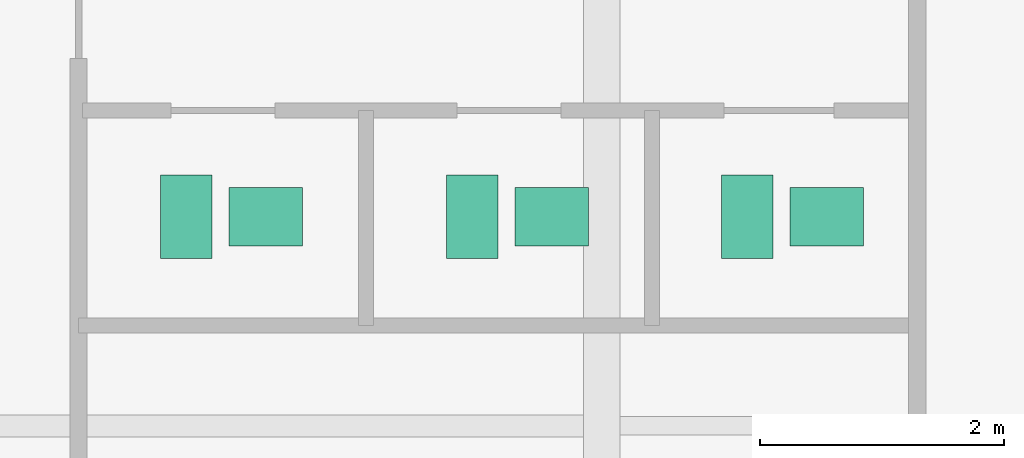
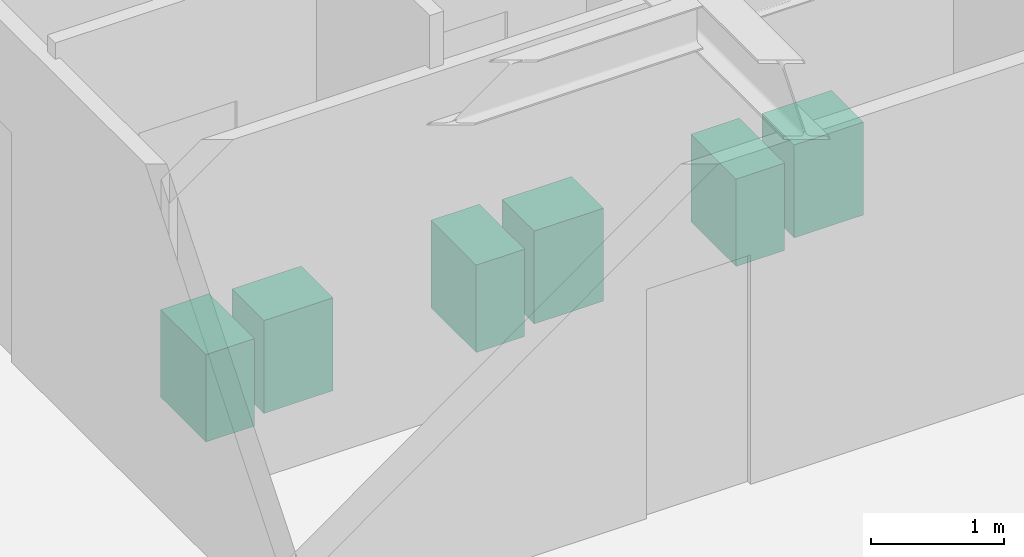
# One storey, part 26 of 26: 6 sanitary terminals.
"""IFC4 building model written with IfcOpenShell, lengths in metres."""

from ifc_helpers import new_model, si_unit, direction, frame, origin, origin_2d, place, context, subcontext, project, spatial, rectangle, extrude, source, transform, mapped, material, type_object, type_shapes, element, save


model = new_model("IFC4")

# Units and contexts
model_context = context("Model", 3, precision=1e-05, world=origin(), true_north=direction((0.0, 1.0)))
body_context = subcontext(model_context, "Body", "Model", "MODEL_VIEW")
ifc_project = project(units=[si_unit("LENGTHUNIT", "METRE"), si_unit("AREAUNIT", "SQUARE_METRE"), si_unit("VOLUMEUNIT", "CUBIC_METRE"), si_unit("PLANEANGLEUNIT", "RADIAN"), si_unit("MASSUNIT", "GRAM", prefix="KILO")], contexts=[model_context])

# Site, building, storey
site_placement = place(None, origin())
site = spatial("IfcSite", under=ifc_project, at=site_placement, CompositionType="ELEMENT")
building_placement = place(site_placement, origin())
building = spatial("IfcBuilding", under=site, at=building_placement, Name="Krantzveldt Concourse Tower", CompositionType="ELEMENT")
storey_placement = place(building_placement, frame((0.0, 0.0, 227.050048828125)))
storey = spatial("IfcBuildingStorey", under=building, at=storey_placement, Name="L55", CompositionType="ELEMENT", Elevation=227.050048828125)

# Sanitary terminals
ifc_material = material(Name="Vitreous china", Category="ceramic")
sanitary_terminal_type_1 = type_object("IfcSanitaryTerminalType", Name="SAN-WC-SUITE", PredefinedType="TOILETPAN", material=ifc_material)
shared_shape_1 = source(origin(), body_context, "Body", "SweptSolid", [
    extrude(rectangle(XDim=0.419921875, YDim=0.679931640625, at=origin_2d()), origin(), (0.0, 0.0, 1.0), 0.800048828125),
])
type_shapes(sanitary_terminal_type_1, [shared_shape_1])
for number, where, z_axis, x_axis, name in (
    (1, (38.0, 31.909912109375, 0.0), (0.0, 0.0, 1.0), (1.0, 0.0, 0.0), "WC-SP-L55-WCM"),
    (2, (40.340087890625, 31.909912109375, 0.0), (0.0, 0.0, 1.0), (1.0, 0.0, 0.0), "WC-SP-L55-WCF"),
    (3, (42.590087890625, 31.909912109375, 0.0), (0.0, 0.0, 1.0), (1.0, 0.0, 0.0), "WC-SP-L55-WCA"),
):
    element("IfcSanitaryTerminal", number, at=place(storey_placement, frame(where, z_axis=z_axis, x_axis=x_axis)), inside=storey, type_object=sanitary_terminal_type_1, Name=name, PredefinedType="TOILETPAN", context=body_context, shape_type="MappedRepresentation", body=[
        mapped(shared_shape_1, transform((0.0, 0.0, 0.0), x_axis=(1.0, 0.0, 0.0), y_axis=(0.0, 1.0, 0.0), z_axis=(0.0, 0.0, 1.0), scale=1.0)),
    ])
sanitary_terminal_type_2 = type_object("IfcSanitaryTerminalType", Name="SAN-BASIN-600", PredefinedType="WASHHANDBASIN", material=ifc_material)
shared_shape_2 = source(origin(), body_context, "Body", "SweptSolid", [
    extrude(rectangle(XDim=0.60009765625, YDim=0.47998046875, at=origin_2d()), origin(), (0.0, 0.0, 1.0), 0.85009765625),
])
type_shapes(sanitary_terminal_type_2, [shared_shape_2])
for number, where, z_axis, x_axis, name in (
    (4, (38.64990234375, 31.909912109375, 0.0048828125), (0.0, 0.0, 1.0), (1.0, 0.0, 0.0), "BSN-SP-L55-WCM"),
    (5, (40.989990234375, 31.909912109375, 0.0048828125), (0.0, 0.0, 1.0), (1.0, 0.0, 0.0), "BSN-SP-L55-WCF"),
    (6, (43.239990234375, 31.909912109375, 0.0048828125), (0.0, 0.0, 1.0), (1.0, 0.0, 0.0), "BSN-SP-L55-WCA"),
):
    element("IfcSanitaryTerminal", number, at=place(storey_placement, frame(where, z_axis=z_axis, x_axis=x_axis)), inside=storey, type_object=sanitary_terminal_type_2, Name=name, PredefinedType="WASHHANDBASIN", context=body_context, shape_type="MappedRepresentation", body=[
        mapped(shared_shape_2, transform((0.0, 0.0, 0.0), x_axis=(1.0, 0.0, 0.0), y_axis=(0.0, 1.0, 0.0), z_axis=(0.0, 0.0, 1.0), scale=1.0)),
    ])

save(model, "model.ifc")
